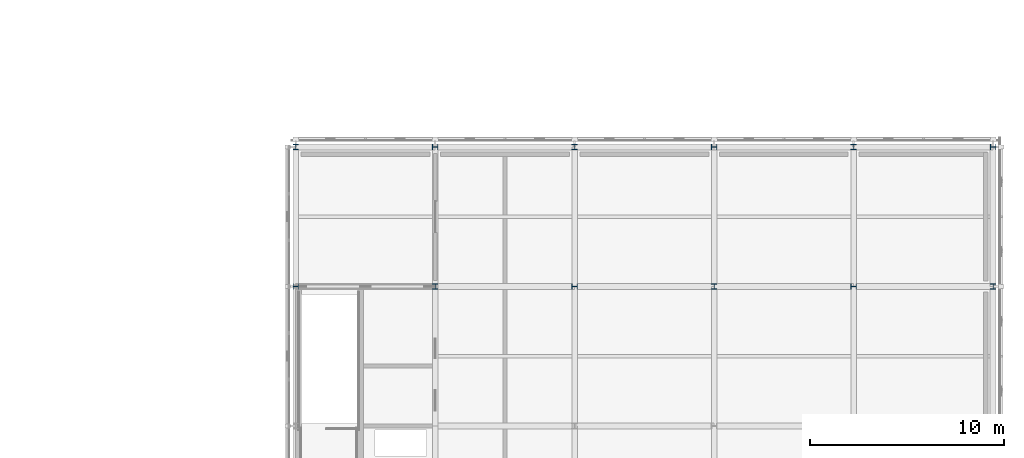
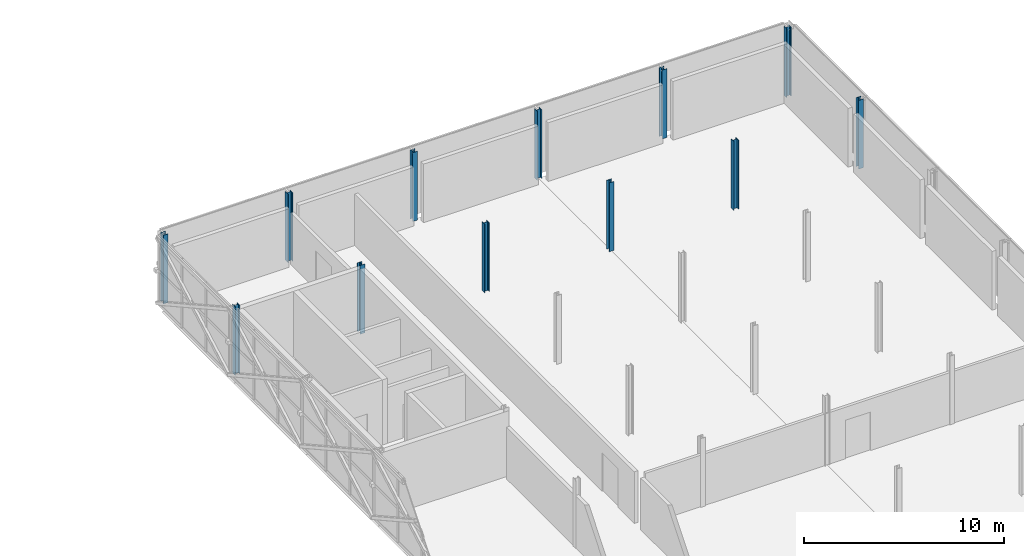
# One storey, part 24 of 146: 12 columns.
"""IFC4 building model written with IfcOpenShell, lengths in metres."""

from ifc_helpers import new_model, si_unit, direction, frame, origin, origin_2d, place, context, subcontext, project, spatial, i_section, extrude, material, material_profile, profile_set, type_object, element, save


model = new_model("IFC4")

# Units and contexts
model_context = context("Model", 3, precision=1e-05, world=origin(), true_north=direction((0.0, 1.0)))
body_context = subcontext(model_context, "Body", "Model", "MODEL_VIEW")
ifc_project = project(units=[si_unit("LENGTHUNIT", "METRE"), si_unit("AREAUNIT", "SQUARE_METRE"), si_unit("VOLUMEUNIT", "CUBIC_METRE"), si_unit("PLANEANGLEUNIT", "RADIAN"), si_unit("MASSUNIT", "GRAM", prefix="KILO")], contexts=[model_context])

# Site, building, storey
site_placement = place(None, origin())
site = spatial("IfcSite", under=ifc_project, at=site_placement, CompositionType="ELEMENT")
building_placement = place(site_placement, origin())
building = spatial("IfcBuilding", under=site, at=building_placement, Name="Zlatovets Crest Museum", CompositionType="ELEMENT")
storey_placement = place(building_placement, frame((0.0, 0.0, 4.5)))
storey = spatial("IfcBuildingStorey", under=building, at=storey_placement, Name="L01", CompositionType="ELEMENT", Elevation=4.5)

# Columns
ifc_material = material(Name="Structural steel S355J2", Category="steel")
ifc_material_profile = material_profile(ifc_material, i_section(OverallWidth=0.280029296875, OverallDepth=0.280029296875, WebThickness=0.010498046875, FlangeThickness=0.01806640625, FilletRadius=0.02392578125, at=origin_2d()), Name="HEB 280")
ifc_profile_set = profile_set([ifc_material_profile], Name="Structural steel S355J2")
column_type = type_object("IfcColumnType", Name="Col_C-17", PredefinedType="COLUMN", material=ifc_profile_set)
for number, where, z_axis, x_axis, name in (
    (1, (129.60009765625, 93.60009765625, 0.0), (0.0, 0.0, 1.0), (0.0, 1.0, 0.0), "V5 L01 Column (129.6, 93.6)"),
    (2, (129.60009765625, 100.800048828125, 0.0), (0.0, 0.0, 1.0), (1.0, 0.0, 0.0), "V5 L01 Column (129.6, 100.8)"),
    (3, (136.800048828125, 93.60009765625, 0.0), (0.0, 0.0, 1.0), (1.0, 0.0, 0.0), "V5 L01 Column (136.8, 93.6)"),
    (4, (136.800048828125, 100.800048828125, 0.0), (0.0, 0.0, 1.0), (0.0, 1.0, 0.0), "V5 L01 Column (136.8, 100.8)"),
    (5, (144.0, 93.60009765625, 0.0), (0.0, 0.0, 1.0), (0.0, 1.0, 0.0), "V5 L01 Column (144.0, 93.6)"),
    (6, (144.0, 100.800048828125, 0.0), (0.0, 0.0, 1.0), (1.0, 0.0, 0.0), "V5 L01 Column (144.0, 100.8)"),
    (7, (151.199951171875, 93.60009765625, 0.0), (0.0, 0.0, 1.0), (1.0, 0.0, 0.0), "V5 L01 Column (151.2, 93.6)"),
    (8, (151.199951171875, 100.800048828125, 0.0), (0.0, 0.0, 1.0), (0.0, 1.0, 0.0), "V5 L01 Column (151.2, 100.8)"),
    (9, (158.39990234375, 93.60009765625, 0.0), (0.0, 0.0, 1.0), (0.0, 1.0, 0.0), "V5 L01 Column (158.4, 93.6)"),
    (10, (158.39990234375, 100.800048828125, 0.0), (0.0, 0.0, 1.0), (1.0, 0.0, 0.0), "V5 L01 Column (158.4, 100.8)"),
    (11, (165.60009765625, 93.60009765625, 0.0), (0.0, 0.0, 1.0), (1.0, 0.0, 0.0), "V5 L01 Column (165.6, 93.6)"),
    (12, (165.60009765625, 100.800048828125, 0.0), (0.0, 0.0, 1.0), (0.0, 1.0, 0.0), "V5 L01 Column (165.6, 100.8)"),
):
    element("IfcColumn", number, at=place(storey_placement, frame(where, z_axis=z_axis, x_axis=x_axis)), inside=storey, type_object=column_type, Name=name, PredefinedType="COLUMN", context=body_context, shape_type="SweptSolid", body=[
        extrude(i_section(OverallWidth=0.280029296875, OverallDepth=0.280029296875, WebThickness=0.010498046875, FlangeThickness=0.01806640625, FilletRadius=0.02392578125, at=origin_2d()), origin(), (0.0, 0.0, 1.0), 4.199951171875),
    ])

save(model, "model.ifc")
